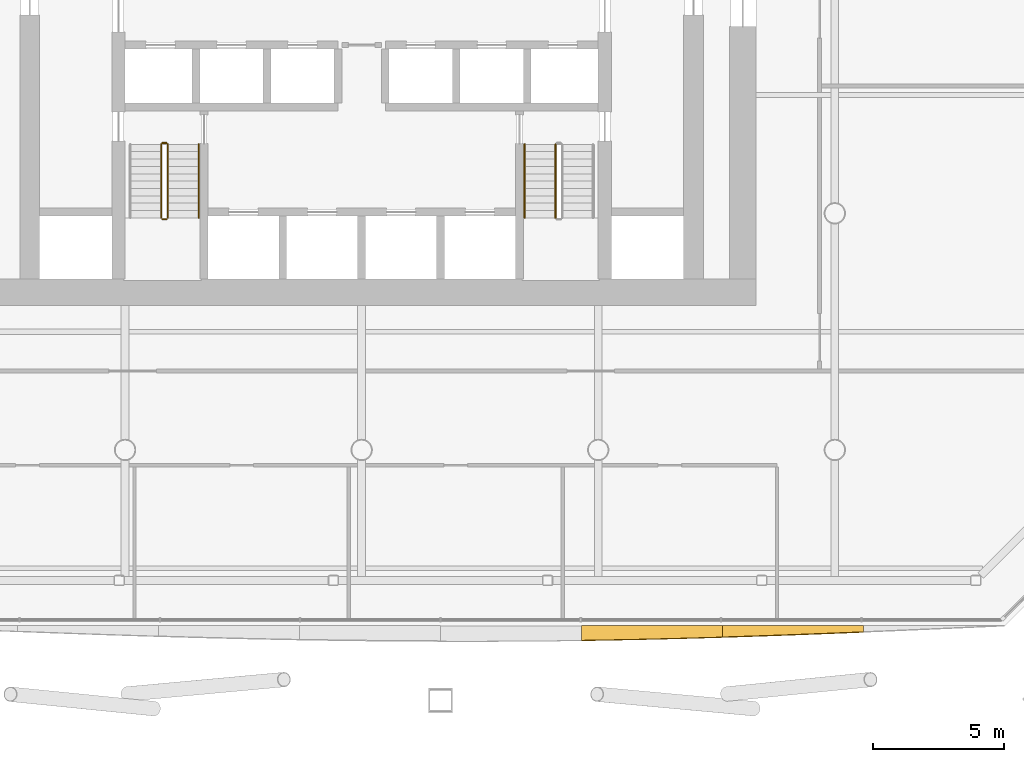
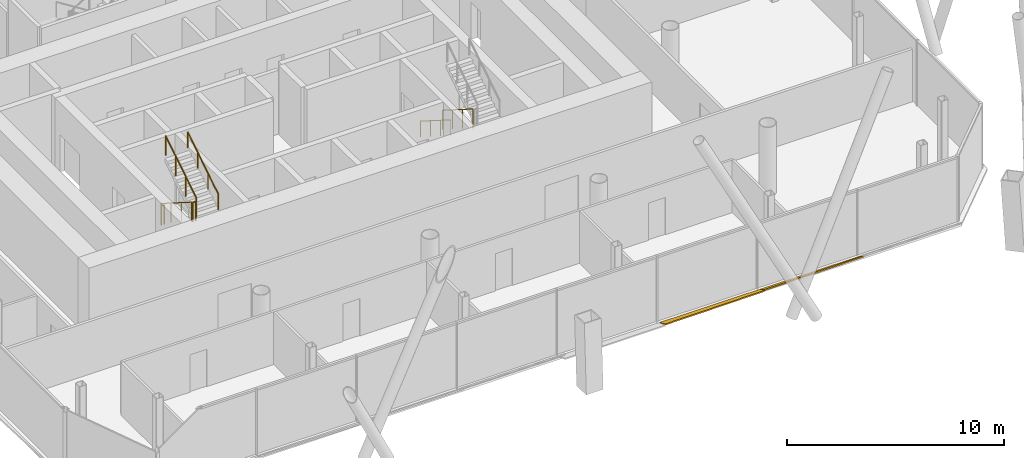
# One storey, part 19 of 22: 7 railings, 2 shading devices.
"""IFC4 building model written with IfcOpenShell, lengths in metres."""

import ifcopenshell
import ifcopenshell.guid

model = None  # the IFC model being written
_history = None  # IfcOwnerHistory: only IFC2X3 demands one
_inside = {}  # id of a spatial element -> (the spatial element, [elements in it])
_under = {}  # id of a project, library or spatial element -> (it, [spatial elements below it])
_declared = {}  # id of a project -> (the project, [libraries it declares])
_typed = {}  # id of a type object -> (the type object, [elements of that type])
_made_of = {}  # id of a material, layer set ... -> (it, [elements and type objects made of it])


def new_model(schema):
    """Start an empty IFC model of exactly this schema.

    Asked for "IFC4X3", IfcOpenShell would pick the latest addendum, in which some entities
    have other attributes; the version numbers below select the first issue.
    IFC2X3 requires an IfcOwnerHistory on every rooted entity: one is made here for all.
    """
    global model, _history
    if schema == "IFC4X3":
        model = ifcopenshell.file(schema_version=(4, 3, 0, 0))
    else:
        model = ifcopenshell.file(schema=schema)
    _inside.clear()
    _under.clear()
    _declared.clear()
    _typed.clear()
    _made_of.clear()
    _history = None
    if model.schema == "IFC2X3":
        org = make("IfcOrganization", Name="unknown")
        user = make(
            "IfcPersonAndOrganization",
            ThePerson=make("IfcPerson", FamilyName="unknown"),
            TheOrganization=org,
        )
        app = make(
            "IfcApplication",
            ApplicationDeveloper=org,
            Version="unknown",
            ApplicationFullName="unknown",
            ApplicationIdentifier="unknown",
        )
        _history = make(
            "IfcOwnerHistory",
            OwningUser=user,
            OwningApplication=app,
            ChangeAction="ADDED",
            CreationDate=0,
        )
    return model


def make(cls, **values):
    """One entity of the class cls with the attributes given. An attribute that is None is left unset."""
    return model.create_entity(
        cls, **{name: value for name, value in values.items() if value is not None}
    )


def rooted(cls, **values):
    """An entity with a GlobalId (a new one), such as an element, a storey or a relation."""
    return make(cls, GlobalId=ifcopenshell.guid.new(), OwnerHistory=_history, **values)


def si_unit(unit_type, name, prefix=None):
    """IfcSIUnit, for example si_unit("LENGTHUNIT", "METRE", prefix="MILLI")."""
    return make("IfcSIUnit", UnitType=unit_type, Prefix=prefix, Name=name)


def assignment(units):
    """IfcUnitAssignment: the units of a project."""
    return None if units is None else make("IfcUnitAssignment", Units=units)


def point(xyz):
    """IfcCartesianPoint."""
    return None if xyz is None else make("IfcCartesianPoint", Coordinates=xyz)


def direction(xyz):
    """IfcDirection."""
    return None if xyz is None else make("IfcDirection", DirectionRatios=xyz)


def frame(location, z_axis=None, x_axis=None):
    """IfcAxis2Placement3D, a coordinate frame: its origin and axes. An axis left out is left unset."""
    return make(
        "IfcAxis2Placement3D",
        Location=point(location),
        Axis=direction(z_axis),
        RefDirection=direction(x_axis),
    )


def frame_2d(location, x_axis=None):
    """IfcAxis2Placement2D, a coordinate frame in the plane: its origin and x axis."""
    return make(
        "IfcAxis2Placement2D", Location=point(location), RefDirection=direction(x_axis)
    )


def origin():
    """The frame at (0, 0, 0) with its axes left unset."""
    return frame((0.0, 0.0, 0.0))


def origin_2d():
    """The frame at (0, 0) in the plane with its x axis left unset."""
    return frame_2d((0.0, 0.0))


def place(relative_to, where):
    """IfcLocalPlacement: puts the frame where relative to a parent placement (None: the world)."""
    return make(
        "IfcLocalPlacement", PlacementRelTo=relative_to, RelativePlacement=where
    )


def context(
    kind, dimensions, precision=None, world=None, true_north=None, identifier=None
):
    """IfcGeometricRepresentationContext, for example the 3D "Model" context."""
    return make(
        "IfcGeometricRepresentationContext",
        ContextIdentifier=identifier,
        ContextType=kind,
        CoordinateSpaceDimension=dimensions,
        Precision=precision,
        WorldCoordinateSystem=world,
        TrueNorth=true_north,
    )


def subcontext(parent, identifier, kind, view, scale=None):
    """IfcGeometricRepresentationSubContext, for example "Body" below "Model"."""
    return make(
        "IfcGeometricRepresentationSubContext",
        ContextIdentifier=identifier,
        ContextType=kind,
        ParentContext=parent,
        TargetScale=scale,
        TargetView=view,
    )


def project(units=None, contexts=None):
    """IfcProject with its units and contexts."""
    return rooted(
        "IfcProject",
        Name="project",
        RepresentationContexts=contexts,
        UnitsInContext=assignment(units),
    )


def spatial(cls, under=None, at=None, **own):
    """A site, building, storey or space (cls), placed at a placement, below another one or the project."""
    s = rooted(cls, ObjectPlacement=at, **own)
    if under is not None:
        _under.setdefault(under.id(), (under, []))[1].append(s)
    return s


def polyline(points):
    """IfcPolyline through the points."""
    return make("IfcPolyline", Points=[point(p) for p in points])


def profile(cls, at=None, kind="AREA", **sizes):
    """A parametric profile (cls). Its sizes go by their IFC names, for example OverallWidth=200.0."""
    return make(cls, ProfileType=kind, Position=at, **sizes)


def circle(**sizes):
    """IfcCircleProfileDef."""
    return profile("IfcCircleProfileDef", **sizes)


def outline(outer, holes=None, kind="AREA"):
    """IfcArbitraryClosedProfileDef: a profile drawn as a closed curve; with holes, ...WithVoids."""
    if holes is None:
        return make("IfcArbitraryClosedProfileDef", ProfileType=kind, OuterCurve=outer)
    return make(
        "IfcArbitraryProfileDefWithVoids",
        ProfileType=kind,
        OuterCurve=outer,
        InnerCurves=holes,
    )


def extrude(swept, where, along, depth):
    """IfcExtrudedAreaSolid: the profile swept, set in the frame where, extruded along a direction by depth."""
    return make(
        "IfcExtrudedAreaSolid",
        SweptArea=swept,
        Position=where,
        ExtrudedDirection=direction(along),
        Depth=depth,
    )


def shape(context_of_items, identifier, shape_type, items):
    """IfcShapeRepresentation: the items that make up one representation, for example the "Body"."""
    return make(
        "IfcShapeRepresentation",
        ContextOfItems=context_of_items,
        RepresentationIdentifier=identifier,
        RepresentationType=shape_type,
        Items=items,
    )


def material(Name=None, Category=None):
    """IfcMaterial."""
    return make("IfcMaterial", Name=Name, Category=Category)


def layer(
    of_material, thickness, ventilated=None, Name=None, Category=None, Priority=None
):
    """IfcMaterialLayer: one layer of a wall or slab, of a material (None: an air gap)."""
    return make(
        "IfcMaterialLayer",
        Material=of_material,
        LayerThickness=thickness,
        IsVentilated=ventilated,
        Name=Name,
        Category=Category,
        Priority=Priority,
    )


def layer_set(layers, Name=None):
    """IfcMaterialLayerSet."""
    return make("IfcMaterialLayerSet", MaterialLayers=layers, LayerSetName=Name)


def made_of(thing, what):
    """Note that an element or type object is made of a material, layer set ...; save() writes the relation."""
    if what is not None:
        _made_of.setdefault(what.id(), (what, []))[1].append(thing)
    return thing


def type_object(cls, material=None, **own):
    """A type object (cls), such as IfcWallType, which elements share."""
    return made_of(rooted(cls, **own), material)


def element(
    cls,
    number,
    at=None,
    inside=None,
    cuts=None,
    type_object=None,
    material=None,
    context=None,
    identifier="Body",
    shape_type=None,
    held_by="IfcProductDefinitionShape",
    body=None,
    shapes=None,
    **own,
):
    """One element of the class cls, such as IfcWall. Its Tag is "e" and its number.

    at: its placement. inside: the storey or other place that contains it. cuts: it is an
    opening in that element (IfcRelVoidsElement). A single representation is given by context,
    identifier, shape_type and body (its items); several are given by shapes. held_by: the class
    of the entity that holds the representations. save() writes the other relations.
    """
    e = rooted(cls, Tag="e%d" % number, ObjectPlacement=at, **own)
    if body is not None:
        shapes = [shape(context, identifier, shape_type, body)]
    if shapes is not None:
        e.Representation = make(held_by, Representations=shapes)
    if inside is not None:
        _inside.setdefault(inside.id(), (inside, []))[1].append(e)
    if cuts is not None:
        rooted(
            "IfcRelVoidsElement", RelatingBuildingElement=cuts, RelatedOpeningElement=e
        )
    if type_object is not None:
        _typed.setdefault(type_object.id(), (type_object, []))[1].append(e)
    return made_of(e, material)


def aggregate(whole, parts):
    """IfcRelAggregates: a whole, such as a stair, and the parts it consists of."""
    return rooted("IfcRelAggregates", RelatingObject=whole, RelatedObjects=parts)


def save(model, path):
    """Write the relations noted so far, then the file.

    IfcRelAggregates (storeys below a building ...), IfcRelContainedInSpatialStructure (elements
    in a storey), IfcRelDefinesByType, IfcRelAssociatesMaterial and IfcRelDeclares: one each for
    every whole, place, type object, material and project.
    """
    for whole, parts in _under.values():
        aggregate(whole, parts)
    for where, things in _inside.values():
        rooted(
            "IfcRelContainedInSpatialStructure",
            RelatedElements=things,
            RelatingStructure=where,
        )
    for kind, things in _typed.values():
        rooted("IfcRelDefinesByType", RelatedObjects=things, RelatingType=kind)
    for what, things in _made_of.values():
        rooted("IfcRelAssociatesMaterial", RelatedObjects=things, RelatingMaterial=what)
    for by, libraries in _declared.values():
        rooted("IfcRelDeclares", RelatingContext=by, RelatedDefinitions=libraries)
    model.write(path)


model = new_model("IFC4")

# Units and contexts
model_context = context("Model", 3, precision=1e-05, world=origin(), true_north=direction((0.0, 1.0)))
body_context = subcontext(model_context, "Body", "Model", "MODEL_VIEW")
ifc_project = project(units=[si_unit("LENGTHUNIT", "METRE"), si_unit("AREAUNIT", "SQUARE_METRE"), si_unit("VOLUMEUNIT", "CUBIC_METRE"), si_unit("PLANEANGLEUNIT", "RADIAN"), si_unit("MASSUNIT", "GRAM", prefix="KILO")], contexts=[model_context])

# Site, building, storey
site_placement = place(None, origin())
site = spatial("IfcSite", under=ifc_project, at=site_placement, CompositionType="ELEMENT")
building_placement = place(site_placement, origin())
building = spatial("IfcBuilding", under=site, at=building_placement, Name="Tskaro Facet Tower", CompositionType="ELEMENT")
storey_placement = place(building_placement, frame((0.0, 0.0, 85.5)))
storey = spatial("IfcBuildingStorey", under=building, at=storey_placement, Name="L20", CompositionType="ELEMENT", Elevation=85.5)

# Shading devices
ifc_material_1 = material(Name="Bronze anodised aluminium 6063-T6", Category="aluminium")
ifc_layer = layer(ifc_material_1, 0.06005859375, Name="Bronze anodised aluminium 6063-T6")
ifc_layer_set = layer_set([ifc_layer], Name="Bronze anodised aluminium 6063-T6")
shading_device_type = type_object("IfcShadingDeviceType", Name="Bronze sun blade (FN1)", PredefinedType="USERDEFINED", material=ifc_layer_set)
shading_device_1_placement = place(storey_placement, frame((8.363037109375, -24.687744140625, 0.054443359375), z_axis=(8.878009e-06, 0.422641562207, 0.906296921443), x_axis=(0.999999999961, -3.752215e-06, -8.046112e-06)))
element("IfcShadingDevice", 1, at=shading_device_1_placement, inside=storey, type_object=shading_device_type, Name="Fin blade south 6", ObjectType="FIN", PredefinedType="USERDEFINED", context=body_context, shape_type="SweptSolid", body=[
    extrude(outline(polyline([(0.0, 0.0), (5.3630371091636455, 2.271334564494045e-21), (5.363037110253092, -0.4756724533791132), (4.692626953584494, -0.4975158200793685), (4.022216797180387, -0.5182677632419381), (3.3518066401247046, -0.5377070189699767), (2.6813964834657615, -0.5555091393914868), (2.010986328119625, -0.5718953884033134), (1.340820311830836, -0.5867476860837638), (0.6704101562298634, -0.6001841123545308), (1.0956183385233507e-10, -0.611762139421924), (0.0, 0.0)])), origin(), (0.0, 0.0, -1.0), 0.06005859375),
])
shading_device_2_placement = place(storey_placement, frame((13.72607421875, -24.68310546875, 0.052001953125), z_axis=(-1.7819581e-05, 0.500055367794, 0.86599343463), x_axis=(0.999999999841, 8.910777e-06, 1.543164e-05)))
element("IfcShadingDevice", 2, at=shading_device_2_placement, inside=storey, type_object=shading_device_type, Name="Fin blade south 7", ObjectType="FIN", PredefinedType="USERDEFINED", context=body_context, shape_type="SweptSolid", body=[
    extrude(outline(polyline([(0.0, 0.0), (5.363037108523518, 0.0), (5.363037108258271, -0.27148009331519507), (4.692626951172033, -0.3033064744286073), (4.0222167952527474, -0.33404299116828473), (3.3518066420924177, -0.3640231515426846), (2.6813964841560662, -0.3930027878917124), (2.010986327386665, -0.4208925598670053), (1.3405761717842135, -0.44769246746856334), (0.6704101579736738, -0.4734025106963865), (-2.8298574726727505e-09, -0.4977785218903802), (0.0, 0.0)])), origin(), (0.0, 0.0, -1.0), 0.06005859375),
])

# Railings
ifc_material_2 = material(Name="Stainless steel", Category="steel")
railing_type_1 = type_object("IfcRailingType", Name="RL-GUARD-1100", PredefinedType="GUARDRAIL", material=ifc_material_2)
railing_1_placement = place(storey_placement, frame((-7.625, -6.375, 0.17724609375)))
element("IfcRailing", 3, at=railing_1_placement, inside=storey, type_object=railing_type_1, Name="L20 ST-1 stair guard 1", PredefinedType="GUARDRAIL", context=body_context, shape_type="SweptSolid", body=[
    extrude(circle(Radius=0.02392578125, at=origin_2d()), frame((0.0, 0.0, 1.076171875), z_axis=(0.0, -0.844908973607, 0.534910110503), x_axis=(1.0, 0.0, 0.0)), (0.0, 0.0, 1.0), 3.31396484375),
    extrude(circle(Radius=0.02099609375, at=origin_2d()), origin(), (0.0, 0.0, 1.0), 1.052001953125),
    extrude(circle(Radius=0.02099609375, at=origin_2d()), frame((0.0, -0.933349609375, 0.5908203125)), (0.0, 0.0, 1.0), 1.052001953125),
    extrude(circle(Radius=0.02099609375, at=origin_2d()), frame((0.0, -1.86669921875, 1.181884765625)), (0.0, 0.0, 1.0), 1.052001953125),
    extrude(circle(Radius=0.02099609375, at=origin_2d()), frame((0.0, -2.800048828125, 1.772705078125)), (0.0, 0.0, 1.0), 1.052001953125),
])
railing_2_placement = place(storey_placement, frame((-7.574951171875, -9.22509765625, 1.949951171875)))
element("IfcRailing", 4, at=railing_2_placement, inside=storey, type_object=railing_type_1, Name="L20 ST-1 stair guard 2", PredefinedType="GUARDRAIL", context=body_context, shape_type="SweptSolid", body=[
    extrude(circle(Radius=0.02392578125, at=origin_2d()), frame((0.0, 0.0, 1.076171875), z_axis=(1.0, 0.0, 0.0), x_axis=(0.0, 1.0, 0.0)), (0.0, 0.0, 1.0), 0.14990234375),
    extrude(circle(Radius=0.02099609375, at=origin_2d()), origin(), (0.0, 0.0, 1.0), 1.052001953125),
    extrude(circle(Radius=0.02099609375, at=origin_2d()), frame((0.14990234375, 0.0, 0.0)), (0.0, 0.0, 1.0), 1.052001953125),
])
railing_3_placement = place(storey_placement, frame((-7.375, -9.175048828125, 2.127197265625)))
element("IfcRailing", 5, at=railing_3_placement, inside=storey, type_object=railing_type_1, Name="L20 ST-1 stair guard 3", PredefinedType="GUARDRAIL", context=body_context, shape_type="SweptSolid", body=[
    extrude(circle(Radius=0.02392578125, at=origin_2d()), frame((0.0, 0.0, 1.076171875), z_axis=(0.0, 0.844908973607, 0.534910110503), x_axis=(-1.0, 0.0, 0.0)), (0.0, 0.0, 1.0), 3.31396484375),
    extrude(circle(Radius=0.02099609375, at=origin_2d()), origin(), (0.0, 0.0, 1.0), 1.052001953125),
    extrude(circle(Radius=0.02099609375, at=origin_2d()), frame((0.0, 0.933349609375, 0.5908203125)), (0.0, 0.0, 1.0), 1.052001953125),
    extrude(circle(Radius=0.02099609375, at=origin_2d()), frame((0.0, 1.86669921875, 1.181884765625)), (0.0, 0.0, 1.0), 1.052001953125),
    extrude(circle(Radius=0.02099609375, at=origin_2d()), frame((0.0, 2.800048828125, 1.772705078125)), (0.0, 0.0, 1.0), 1.052001953125),
])
railing_4_placement = place(storey_placement, frame((-7.574951171875, -6.324951171875, 0.0)))
element("IfcRailing", 6, at=railing_4_placement, inside=storey, type_object=railing_type_1, Name="L20 ST-1 stair guard 4", PredefinedType="GUARDRAIL", context=body_context, shape_type="SweptSolid", body=[
    extrude(circle(Radius=0.02392578125, at=origin_2d()), frame((0.0, 0.0, 1.076171875), z_axis=(1.0, 0.0, 0.0), x_axis=(0.0, 1.0, 0.0)), (0.0, 0.0, 1.0), 0.14990234375),
    extrude(circle(Radius=0.02099609375, at=origin_2d()), origin(), (0.0, 0.0, 1.0), 1.052001953125),
    extrude(circle(Radius=0.02099609375, at=origin_2d()), frame((0.14990234375, 0.0, 0.0)), (0.0, 0.0, 1.0), 1.052001953125),
])
railing_5_placement = place(storey_placement, frame((7.375, -6.375, 0.17724609375)))
element("IfcRailing", 7, at=railing_5_placement, inside=storey, type_object=railing_type_1, Name="L20 ST-2 stair guard 1", PredefinedType="GUARDRAIL", context=body_context, shape_type="SweptSolid", body=[
    extrude(circle(Radius=0.02392578125, at=origin_2d()), frame((0.0, 0.0, 1.076171875), z_axis=(0.0, -0.844908973607, 0.534910110503), x_axis=(1.0, 0.0, 0.0)), (0.0, 0.0, 1.0), 3.31396484375),
    extrude(circle(Radius=0.02099609375, at=origin_2d()), origin(), (0.0, 0.0, 1.0), 1.052001953125),
    extrude(circle(Radius=0.02099609375, at=origin_2d()), frame((0.0, -0.933349609375, 0.5908203125)), (0.0, 0.0, 1.0), 1.052001953125),
    extrude(circle(Radius=0.02099609375, at=origin_2d()), frame((0.0, -1.86669921875, 1.181884765625)), (0.0, 0.0, 1.0), 1.052001953125),
    extrude(circle(Radius=0.02099609375, at=origin_2d()), frame((0.0, -2.800048828125, 1.772705078125)), (0.0, 0.0, 1.0), 1.052001953125),
])
railing_type_2 = type_object("IfcRailingType", Name="RL-HANDRAIL-900", PredefinedType="HANDRAIL", material=ifc_material_2)
railing_6_placement = place(storey_placement, frame((-6.199951171875, -9.175048828125, 2.127197265625)))
element("IfcRailing", 8, at=railing_6_placement, inside=storey, type_object=railing_type_2, Name="L20 ST-1 stair handrail 2", PredefinedType="HANDRAIL", context=body_context, shape_type="SweptSolid", body=[
    extrude(circle(Radius=0.02392578125, at=origin_2d()), frame((0.0, 0.0, 0.8759765625), z_axis=(0.0, 0.844908973607, 0.534910110503), x_axis=(-1.0, 0.0, 0.0)), (0.0, 0.0, 1.0), 3.31396484375),
    extrude(circle(Radius=0.02099609375, at=origin_2d()), origin(), (0.0, 0.0, 1.0), 0.851806640625),
    extrude(circle(Radius=0.02099609375, at=origin_2d()), frame((0.0, 0.933349609375, 0.5908203125)), (0.0, 0.0, 1.0), 0.851806640625),
    extrude(circle(Radius=0.02099609375, at=origin_2d()), frame((0.0, 1.86669921875, 1.181884765625)), (0.0, 0.0, 1.0), 0.851806640625),
    extrude(circle(Radius=0.02099609375, at=origin_2d()), frame((0.0, 2.800048828125, 1.772705078125)), (0.0, 0.0, 1.0), 0.851806640625),
])
railing_7_placement = place(storey_placement, frame((6.199951171875, -6.375, 0.17724609375)))
element("IfcRailing", 9, at=railing_7_placement, inside=storey, type_object=railing_type_2, Name="L20 ST-2 stair handrail 1", PredefinedType="HANDRAIL", context=body_context, shape_type="SweptSolid", body=[
    extrude(circle(Radius=0.02392578125, at=origin_2d()), frame((0.0, 0.0, 0.8759765625), z_axis=(0.0, -0.844908973607, 0.534910110503), x_axis=(1.0, 0.0, 0.0)), (0.0, 0.0, 1.0), 3.31396484375),
    extrude(circle(Radius=0.02099609375, at=origin_2d()), origin(), (0.0, 0.0, 1.0), 0.851806640625),
    extrude(circle(Radius=0.02099609375, at=origin_2d()), frame((0.0, -0.933349609375, 0.5908203125)), (0.0, 0.0, 1.0), 0.851806640625),
    extrude(circle(Radius=0.02099609375, at=origin_2d()), frame((0.0, -1.86669921875, 1.181884765625)), (0.0, 0.0, 1.0), 0.851806640625),
    extrude(circle(Radius=0.02099609375, at=origin_2d()), frame((0.0, -2.800048828125, 1.772705078125)), (0.0, 0.0, 1.0), 0.851806640625),
])

save(model, "model.ifc")
